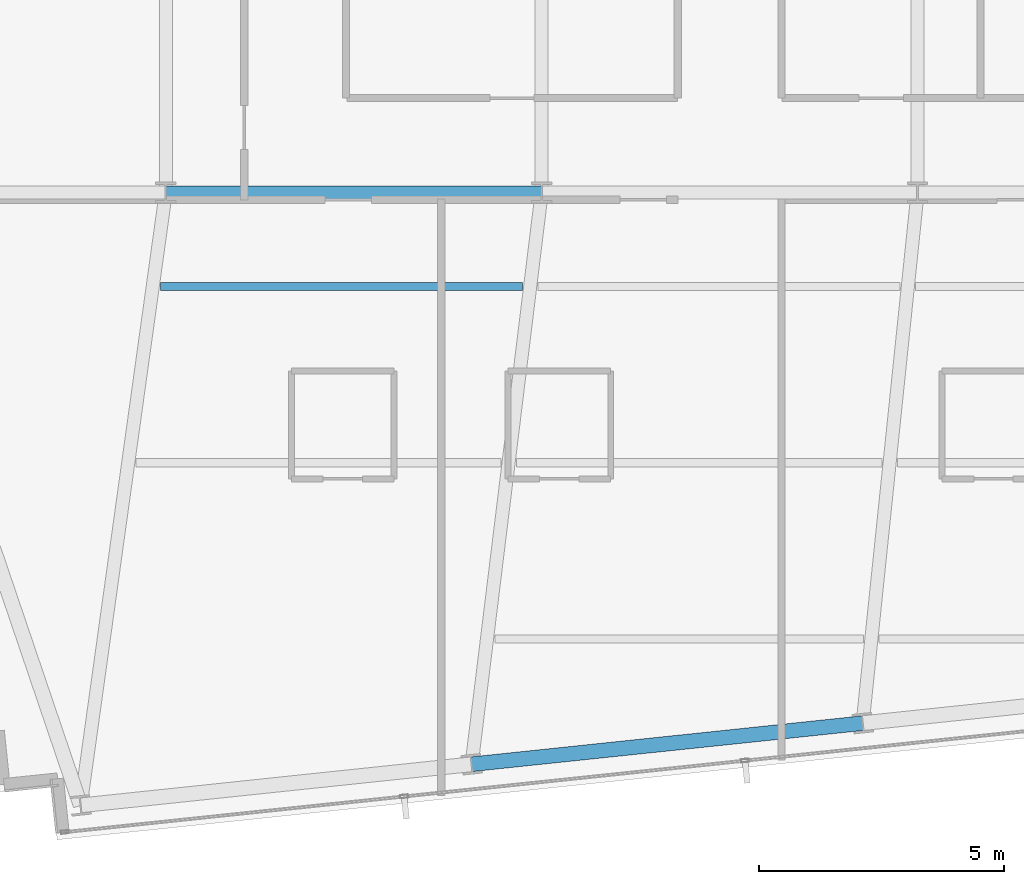
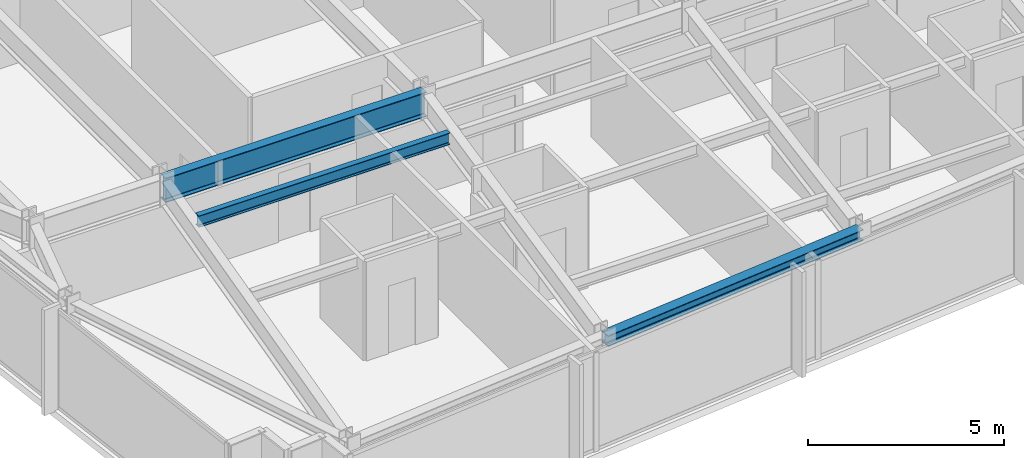
# One storey, part 6 of 33: 3 beams.
"""IFC4 building model written with IfcOpenShell, lengths in metres."""

from ifc_helpers import new_model, si_unit, direction, frame, origin, origin_2d, place, context, subcontext, project, spatial, i_section, extrude, material, material_profile, profile_set, type_object, element, save


model = new_model("IFC4")

# Units and contexts
model_context = context("Model", 3, precision=1e-05, world=origin(), true_north=direction((0.0, 1.0)))
body_context = subcontext(model_context, "Body", "Model", "MODEL_VIEW")
ifc_project = project(units=[si_unit("LENGTHUNIT", "METRE"), si_unit("AREAUNIT", "SQUARE_METRE"), si_unit("VOLUMEUNIT", "CUBIC_METRE"), si_unit("PLANEANGLEUNIT", "RADIAN"), si_unit("MASSUNIT", "GRAM", prefix="KILO")], contexts=[model_context])

# Site, building, storey
site_placement = place(None, origin())
site = spatial("IfcSite", under=ifc_project, at=site_placement, CompositionType="ELEMENT")
building_placement = place(site_placement, origin())
building = spatial("IfcBuilding", under=site, at=building_placement, Name="Yelkora Congress Tower", CompositionType="ELEMENT")
storey_placement = place(building_placement, frame((0.0, 0.0, 237.5)))
storey = spatial("IfcBuildingStorey", under=building, at=storey_placement, Name="L66", CompositionType="ELEMENT", Elevation=237.5)

# Beams
ifc_material = material(Name="Steel S355J2", Category="steel")
ifc_material_profile_1 = material_profile(ifc_material, i_section(OverallWidth=0.26708984375, OverallDepth=0.761962890625, WebThickness=0.014404296875, FlangeThickness=0.021484375, FilletRadius=0.01708984375, at=origin_2d()), Name="IPE 750x173")
ifc_profile_set_1 = profile_set([ifc_material_profile_1], Name="Steel S355J2")
beam_type_1 = type_object("IfcBeamType", Name="BM-GIRD-IPE750", PredefinedType="BEAM", material=ifc_profile_set_1)
beam_1_placement = place(storey_placement, frame((23.0400390625, 25.199951171875, 2.698974609375), z_axis=(1.0, 0.0, 0.0), x_axis=(0.0, 1.0, 0.0)))
element("IfcBeam", 1, at=beam_1_placement, inside=storey, type_object=beam_type_1, Name="L66 Spine Grid D Girder 2", PredefinedType="BEAM", context=body_context, shape_type="SweptSolid", body=[
    extrude(i_section(OverallWidth=0.26708984375, OverallDepth=0.761962890625, WebThickness=0.014404296875, FlangeThickness=0.021484375, FilletRadius=0.01708984375, at=origin_2d()), origin(), (0.0, 0.0, 1.0), 7.679931640625),
])
ifc_material_profile_2 = material_profile(ifc_material, i_section(OverallWidth=0.169921875, OverallDepth=0.360107421875, WebThickness=0.008056640625, FlangeThickness=0.0126953125, FilletRadius=0.01806640625, at=origin_2d()), Name="IPE 360")
ifc_profile_set_2 = profile_set([ifc_material_profile_2], Name="Steel S355J2")
beam_type_2 = type_object("IfcBeamType", Name="BM-JOIST-IPE360", PredefinedType="JOIST", material=ifc_profile_set_2)
beam_2_placement = place(storey_placement, frame((22.932861328125, 23.278564453125, 2.89990234375), z_axis=(1.0, 0.0, 0.0), x_axis=(0.0, 1.0, 0.0)))
element("IfcBeam", 2, at=beam_2_placement, inside=storey, type_object=beam_type_2, Name="L66 Composite Floor Joist 9", PredefinedType="JOIST", context=body_context, shape_type="SweptSolid", body=[
    extrude(i_section(OverallWidth=0.169921875, OverallDepth=0.360107421875, WebThickness=0.008056640625, FlangeThickness=0.0126953125, FilletRadius=0.01806640625, at=origin_2d()), origin(), (0.0, 0.0, 1.0), 7.3916015625),
])
ifc_material_profile_3 = material_profile(ifc_material, i_section(OverallWidth=0.300048828125, OverallDepth=0.340087890625, WebThickness=0.011962890625, FlangeThickness=0.021484375, FilletRadius=0.027099609375, at=origin_2d()), Name="HEB 340")
ifc_profile_set_3 = profile_set([ifc_material_profile_3], Name="Steel S355J2")
beam_type_3 = type_object("IfcBeamType", Name="BM-SPAN-HEB340", PredefinedType="SPANDREL", material=ifc_profile_set_3)
beam_3_placement = place(storey_placement, frame((29.288330078125, 13.518310546875, 2.909912109375), z_axis=(0.994523256947, 0.104515507904, 0.0), x_axis=(-0.104515507904, 0.994523256947, 0.0)))
element("IfcBeam", 3, at=beam_3_placement, inside=storey, type_object=beam_type_3, Name="L66 Perimeter Beam 4", PredefinedType="SPANDREL", context=body_context, shape_type="SweptSolid", body=[
    extrude(i_section(OverallWidth=0.300048828125, OverallDepth=0.340087890625, WebThickness=0.011962890625, FlangeThickness=0.021484375, FilletRadius=0.027099609375, at=origin_2d()), origin(), (0.0, 0.0, 1.0), 8.033203125),
])

save(model, "model.ifc")
